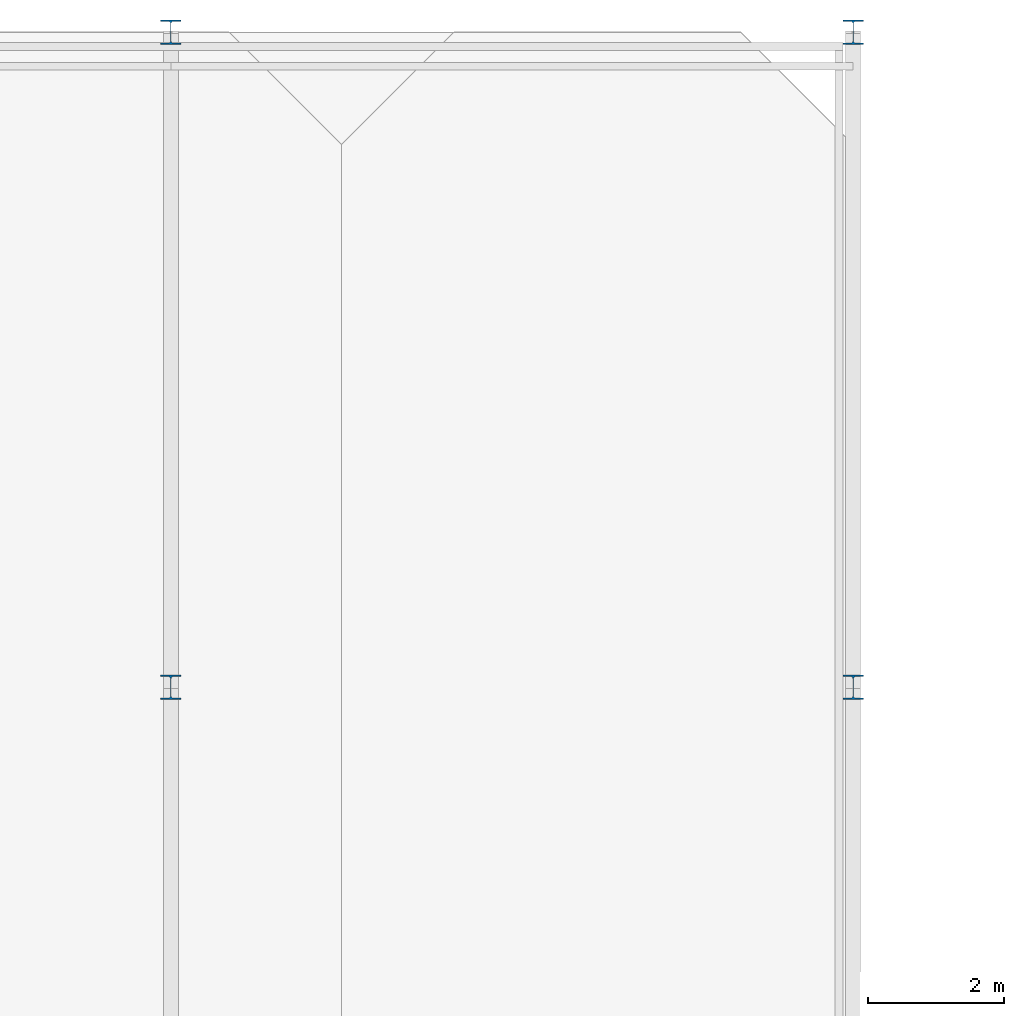
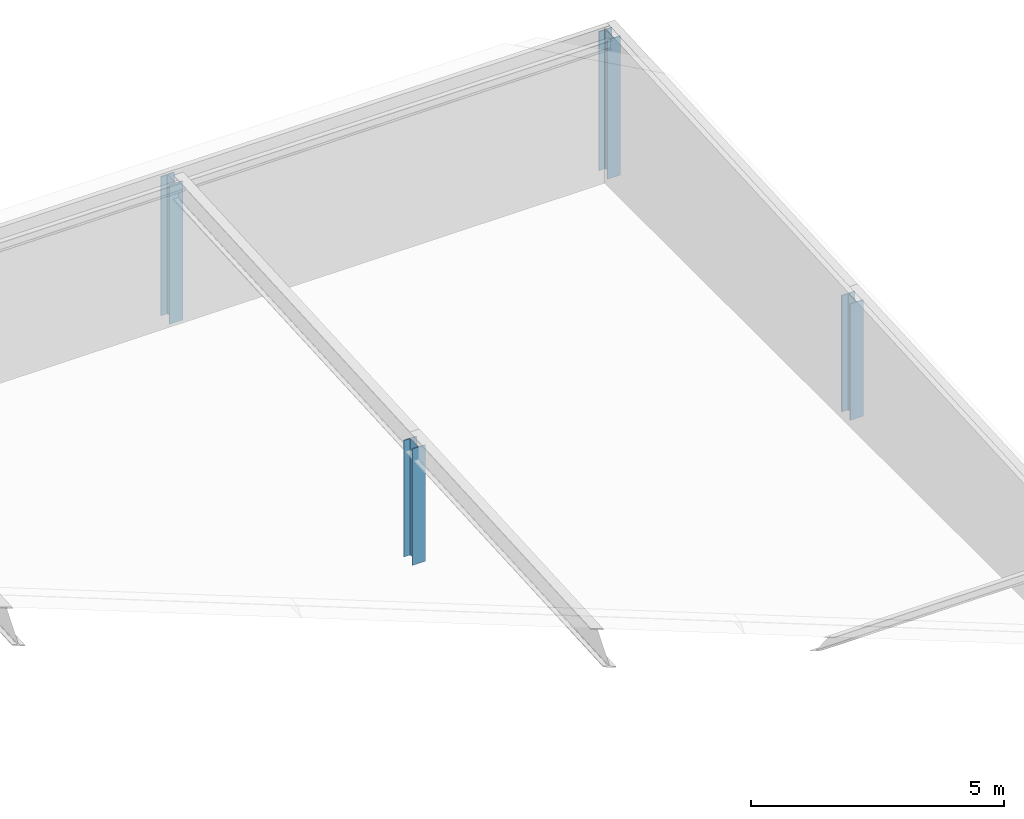
# One storey, part 12 of 57: 4 columns.
"""IFC4 building model written with IfcOpenShell, lengths in metres."""

import ifcopenshell
import ifcopenshell.guid

model = None  # the IFC model being written
_history = None  # IfcOwnerHistory: only IFC2X3 demands one
_inside = {}  # id of a spatial element -> (the spatial element, [elements in it])
_under = {}  # id of a project, library or spatial element -> (it, [spatial elements below it])
_declared = {}  # id of a project -> (the project, [libraries it declares])
_typed = {}  # id of a type object -> (the type object, [elements of that type])
_made_of = {}  # id of a material, layer set ... -> (it, [elements and type objects made of it])


def new_model(schema):
    """Start an empty IFC model of exactly this schema.

    Asked for "IFC4X3", IfcOpenShell would pick the latest addendum, in which some entities
    have other attributes; the version numbers below select the first issue.
    IFC2X3 requires an IfcOwnerHistory on every rooted entity: one is made here for all.
    """
    global model, _history
    if schema == "IFC4X3":
        model = ifcopenshell.file(schema_version=(4, 3, 0, 0))
    else:
        model = ifcopenshell.file(schema=schema)
    _inside.clear()
    _under.clear()
    _declared.clear()
    _typed.clear()
    _made_of.clear()
    _history = None
    if model.schema == "IFC2X3":
        org = make("IfcOrganization", Name="unknown")
        user = make(
            "IfcPersonAndOrganization",
            ThePerson=make("IfcPerson", FamilyName="unknown"),
            TheOrganization=org,
        )
        app = make(
            "IfcApplication",
            ApplicationDeveloper=org,
            Version="unknown",
            ApplicationFullName="unknown",
            ApplicationIdentifier="unknown",
        )
        _history = make(
            "IfcOwnerHistory",
            OwningUser=user,
            OwningApplication=app,
            ChangeAction="ADDED",
            CreationDate=0,
        )
    return model


def make(cls, **values):
    """One entity of the class cls with the attributes given. An attribute that is None is left unset."""
    return model.create_entity(
        cls, **{name: value for name, value in values.items() if value is not None}
    )


def rooted(cls, **values):
    """An entity with a GlobalId (a new one), such as an element, a storey or a relation."""
    return make(cls, GlobalId=ifcopenshell.guid.new(), OwnerHistory=_history, **values)


def si_unit(unit_type, name, prefix=None):
    """IfcSIUnit, for example si_unit("LENGTHUNIT", "METRE", prefix="MILLI")."""
    return make("IfcSIUnit", UnitType=unit_type, Prefix=prefix, Name=name)


def assignment(units):
    """IfcUnitAssignment: the units of a project."""
    return None if units is None else make("IfcUnitAssignment", Units=units)


def point(xyz):
    """IfcCartesianPoint."""
    return None if xyz is None else make("IfcCartesianPoint", Coordinates=xyz)


def direction(xyz):
    """IfcDirection."""
    return None if xyz is None else make("IfcDirection", DirectionRatios=xyz)


def frame(location, z_axis=None, x_axis=None):
    """IfcAxis2Placement3D, a coordinate frame: its origin and axes. An axis left out is left unset."""
    return make(
        "IfcAxis2Placement3D",
        Location=point(location),
        Axis=direction(z_axis),
        RefDirection=direction(x_axis),
    )


def frame_2d(location, x_axis=None):
    """IfcAxis2Placement2D, a coordinate frame in the plane: its origin and x axis."""
    return make(
        "IfcAxis2Placement2D", Location=point(location), RefDirection=direction(x_axis)
    )


def origin():
    """The frame at (0, 0, 0) with its axes left unset."""
    return frame((0.0, 0.0, 0.0))


def origin_2d():
    """The frame at (0, 0) in the plane with its x axis left unset."""
    return frame_2d((0.0, 0.0))


def place(relative_to, where):
    """IfcLocalPlacement: puts the frame where relative to a parent placement (None: the world)."""
    return make(
        "IfcLocalPlacement", PlacementRelTo=relative_to, RelativePlacement=where
    )


def context(
    kind, dimensions, precision=None, world=None, true_north=None, identifier=None
):
    """IfcGeometricRepresentationContext, for example the 3D "Model" context."""
    return make(
        "IfcGeometricRepresentationContext",
        ContextIdentifier=identifier,
        ContextType=kind,
        CoordinateSpaceDimension=dimensions,
        Precision=precision,
        WorldCoordinateSystem=world,
        TrueNorth=true_north,
    )


def subcontext(parent, identifier, kind, view, scale=None):
    """IfcGeometricRepresentationSubContext, for example "Body" below "Model"."""
    return make(
        "IfcGeometricRepresentationSubContext",
        ContextIdentifier=identifier,
        ContextType=kind,
        ParentContext=parent,
        TargetScale=scale,
        TargetView=view,
    )


def project(units=None, contexts=None):
    """IfcProject with its units and contexts."""
    return rooted(
        "IfcProject",
        Name="project",
        RepresentationContexts=contexts,
        UnitsInContext=assignment(units),
    )


def spatial(cls, under=None, at=None, **own):
    """A site, building, storey or space (cls), placed at a placement, below another one or the project."""
    s = rooted(cls, ObjectPlacement=at, **own)
    if under is not None:
        _under.setdefault(under.id(), (under, []))[1].append(s)
    return s


def profile(cls, at=None, kind="AREA", **sizes):
    """A parametric profile (cls). Its sizes go by their IFC names, for example OverallWidth=200.0."""
    return make(cls, ProfileType=kind, Position=at, **sizes)


def i_section(**sizes):
    """IfcIShapeProfileDef."""
    return profile("IfcIShapeProfileDef", **sizes)


def extrude(swept, where, along, depth):
    """IfcExtrudedAreaSolid: the profile swept, set in the frame where, extruded along a direction by depth."""
    return make(
        "IfcExtrudedAreaSolid",
        SweptArea=swept,
        Position=where,
        ExtrudedDirection=direction(along),
        Depth=depth,
    )


def shape(context_of_items, identifier, shape_type, items):
    """IfcShapeRepresentation: the items that make up one representation, for example the "Body"."""
    return make(
        "IfcShapeRepresentation",
        ContextOfItems=context_of_items,
        RepresentationIdentifier=identifier,
        RepresentationType=shape_type,
        Items=items,
    )


def material(Name=None, Category=None):
    """IfcMaterial."""
    return make("IfcMaterial", Name=Name, Category=Category)


def material_profile(
    of_material, cross_section, Name=None, Category=None, Priority=None
):
    """IfcMaterialProfile: a cross section and its material."""
    return make(
        "IfcMaterialProfile",
        Name=Name,
        Material=of_material,
        Profile=cross_section,
        Priority=Priority,
        Category=Category,
    )


def profile_set(profiles, Name=None, composite=None):
    """IfcMaterialProfileSet."""
    return make(
        "IfcMaterialProfileSet",
        Name=Name,
        MaterialProfiles=profiles,
        CompositeProfile=composite,
    )


def made_of(thing, what):
    """Note that an element or type object is made of a material, layer set ...; save() writes the relation."""
    if what is not None:
        _made_of.setdefault(what.id(), (what, []))[1].append(thing)
    return thing


def type_object(cls, material=None, **own):
    """A type object (cls), such as IfcWallType, which elements share."""
    return made_of(rooted(cls, **own), material)


def element(
    cls,
    number,
    at=None,
    inside=None,
    cuts=None,
    type_object=None,
    material=None,
    context=None,
    identifier="Body",
    shape_type=None,
    held_by="IfcProductDefinitionShape",
    body=None,
    shapes=None,
    **own,
):
    """One element of the class cls, such as IfcWall. Its Tag is "e" and its number.

    at: its placement. inside: the storey or other place that contains it. cuts: it is an
    opening in that element (IfcRelVoidsElement). A single representation is given by context,
    identifier, shape_type and body (its items); several are given by shapes. held_by: the class
    of the entity that holds the representations. save() writes the other relations.
    """
    e = rooted(cls, Tag="e%d" % number, ObjectPlacement=at, **own)
    if body is not None:
        shapes = [shape(context, identifier, shape_type, body)]
    if shapes is not None:
        e.Representation = make(held_by, Representations=shapes)
    if inside is not None:
        _inside.setdefault(inside.id(), (inside, []))[1].append(e)
    if cuts is not None:
        rooted(
            "IfcRelVoidsElement", RelatingBuildingElement=cuts, RelatedOpeningElement=e
        )
    if type_object is not None:
        _typed.setdefault(type_object.id(), (type_object, []))[1].append(e)
    return made_of(e, material)


def aggregate(whole, parts):
    """IfcRelAggregates: a whole, such as a stair, and the parts it consists of."""
    return rooted("IfcRelAggregates", RelatingObject=whole, RelatedObjects=parts)


def save(model, path):
    """Write the relations noted so far, then the file.

    IfcRelAggregates (storeys below a building ...), IfcRelContainedInSpatialStructure (elements
    in a storey), IfcRelDefinesByType, IfcRelAssociatesMaterial and IfcRelDeclares: one each for
    every whole, place, type object, material and project.
    """
    for whole, parts in _under.values():
        aggregate(whole, parts)
    for where, things in _inside.values():
        rooted(
            "IfcRelContainedInSpatialStructure",
            RelatedElements=things,
            RelatingStructure=where,
        )
    for kind, things in _typed.values():
        rooted("IfcRelDefinesByType", RelatedObjects=things, RelatingType=kind)
    for what, things in _made_of.values():
        rooted("IfcRelAssociatesMaterial", RelatedObjects=things, RelatingMaterial=what)
    for by, libraries in _declared.values():
        rooted("IfcRelDeclares", RelatingContext=by, RelatedDefinitions=libraries)
    model.write(path)


model = new_model("IFC4")

# Units and contexts
model_context = context("Model", 3, precision=1e-05, world=origin(), true_north=direction((0.0, 1.0)))
body_context = subcontext(model_context, "Body", "Model", "MODEL_VIEW")
ifc_project = project(units=[si_unit("LENGTHUNIT", "METRE"), si_unit("AREAUNIT", "SQUARE_METRE"), si_unit("VOLUMEUNIT", "CUBIC_METRE"), si_unit("PLANEANGLEUNIT", "RADIAN"), si_unit("MASSUNIT", "GRAM", prefix="KILO")], contexts=[model_context])

# Site, building, storey
site_placement = place(None, origin())
site = spatial("IfcSite", under=ifc_project, at=site_placement, CompositionType="ELEMENT")
building_placement = place(site_placement, origin())
building = spatial("IfcBuilding", under=site, at=building_placement, Name="Zereglee Splitstone Museum", CompositionType="ELEMENT")
storey_placement = place(building_placement, frame((0.0, 0.0, 17.10009765625)))
storey = spatial("IfcBuildingStorey", under=building, at=storey_placement, Name="L03", CompositionType="ELEMENT", Elevation=17.10009765625)

# Columns
ifc_material = material(Name="Steel S355J2", Category="steel")
ifc_material_profile = material_profile(ifc_material, i_section(OverallWidth=0.300048828125, OverallDepth=0.360107421875, WebThickness=0.012451171875, FlangeThickness=0.0224609375, FilletRadius=0.027099609375, at=origin_2d()), Name="HE 360 B")
ifc_profile_set = profile_set([ifc_material_profile], Name="Steel S355J2")
column_type = type_object("IfcColumnType", Name="C-16", PredefinedType="COLUMN", material=ifc_profile_set)
column_1_placement = place(storey_placement, frame((195.199951171875, 50.39990234375, 0.0), z_axis=(0.0, 0.0, 1.0), x_axis=(1.0, 0.0, 0.0)))
element("IfcColumn", 1, at=column_1_placement, inside=storey, type_object=column_type, Name="Roof Support Column RF-V4 (195.2,50.4)", PredefinedType="COLUMN", context=body_context, shape_type="SweptSolid", body=[
    extrude(i_section(OverallWidth=0.300048828125, OverallDepth=0.360107421875, WebThickness=0.012451171875, FlangeThickness=0.0224609375, FilletRadius=0.027099609375, at=origin_2d()), origin(), (0.0, 0.0, 1.0), 2.80908203125),
])
column_2_placement = place(storey_placement, frame((195.199951171875, 60.0, 0.0), z_axis=(0.0, 0.0, 1.0), x_axis=(1.0, 0.0, 0.0)))
element("IfcColumn", 2, at=column_2_placement, inside=storey, type_object=column_type, Name="Roof Support Column RF-V4 (195.2,60.0)", PredefinedType="COLUMN", context=body_context, shape_type="SweptSolid", body=[
    extrude(i_section(OverallWidth=0.300048828125, OverallDepth=0.360107421875, WebThickness=0.012451171875, FlangeThickness=0.0224609375, FilletRadius=0.027099609375, at=origin_2d()), origin(), (0.0, 0.0, 1.0), 3.359130859375),
])
column_3_placement = place(storey_placement, frame((205.199951171875, 50.39990234375, 0.0), z_axis=(0.0, 0.0, 1.0), x_axis=(1.0, 0.0, 0.0)))
element("IfcColumn", 3, at=column_3_placement, inside=storey, type_object=column_type, Name="Roof Support Column RF-V4 (205.2,50.4)", PredefinedType="COLUMN", context=body_context, shape_type="SweptSolid", body=[
    extrude(i_section(OverallWidth=0.300048828125, OverallDepth=0.360107421875, WebThickness=0.012451171875, FlangeThickness=0.0224609375, FilletRadius=0.027099609375, at=origin_2d()), origin(), (0.0, 0.0, 1.0), 2.80908203125),
])
column_4_placement = place(storey_placement, frame((205.199951171875, 60.0, 0.0), z_axis=(0.0, 0.0, 1.0), x_axis=(1.0, 0.0, 0.0)))
element("IfcColumn", 4, at=column_4_placement, inside=storey, type_object=column_type, Name="Roof Support Column RF-V4 (205.2,60.0)", PredefinedType="COLUMN", context=body_context, shape_type="SweptSolid", body=[
    extrude(i_section(OverallWidth=0.300048828125, OverallDepth=0.360107421875, WebThickness=0.012451171875, FlangeThickness=0.0224609375, FilletRadius=0.027099609375, at=origin_2d()), origin(), (0.0, 0.0, 1.0), 3.359130859375),
])

save(model, "model.ifc")
